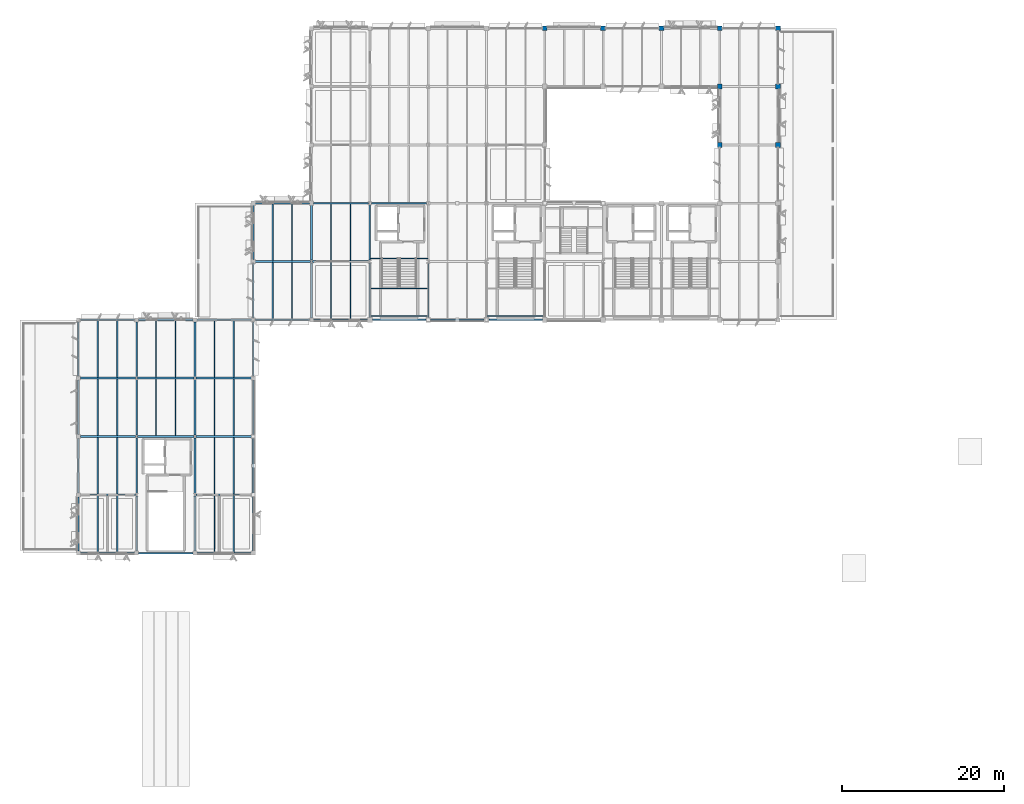
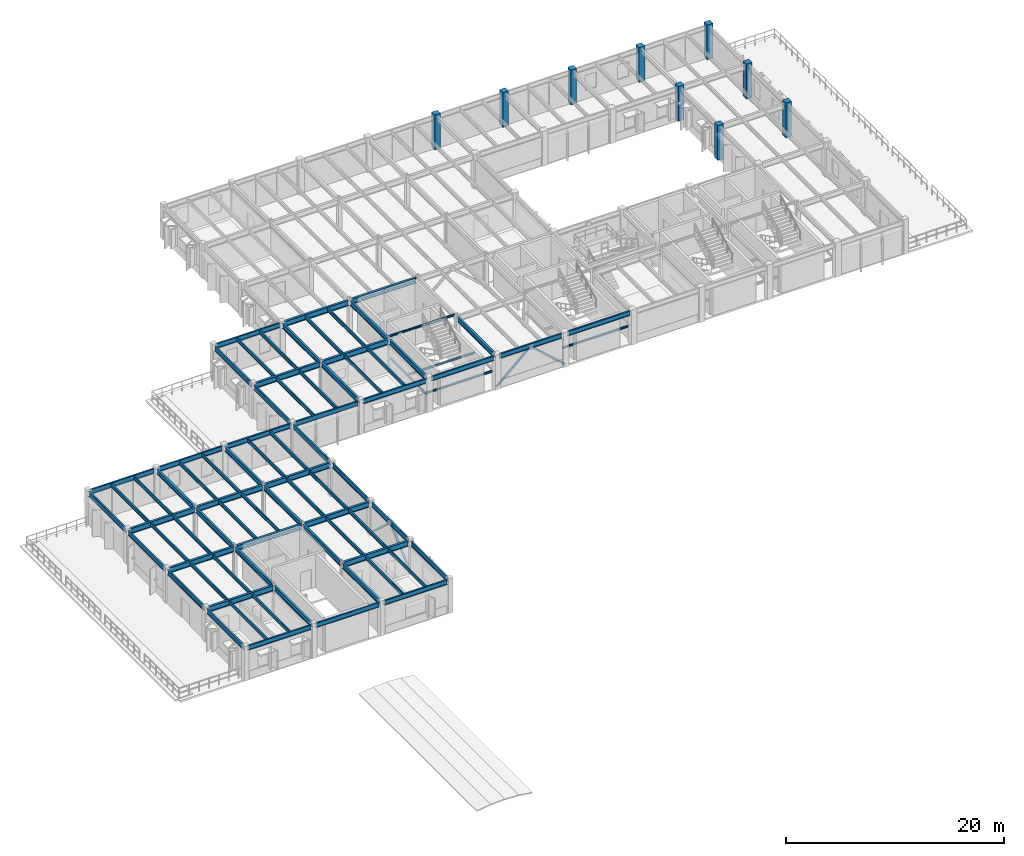
# One storey, part 5 of 35: 80 beams, 9 columns, 4 members.
"""IFC4 building model written with IfcOpenShell, lengths in metres."""

from ifc_helpers import new_model, si_unit, direction, frame, origin, origin_2d, place, context, subcontext, project, spatial, rectangle, hollow_rectangle, i_section, extrude, material, material_profile, profile_set, type_object, element, save


model = new_model("IFC4")

# Units and contexts
model_context = context("Model", 3, precision=1e-05, world=origin(), true_north=direction((0.0, 1.0)))
body_context = subcontext(model_context, "Body", "Model", "MODEL_VIEW")
ifc_project = project(units=[si_unit("LENGTHUNIT", "METRE"), si_unit("AREAUNIT", "SQUARE_METRE"), si_unit("VOLUMEUNIT", "CUBIC_METRE"), si_unit("PLANEANGLEUNIT", "RADIAN"), si_unit("MASSUNIT", "GRAM", prefix="KILO")], contexts=[model_context])

# Site, building, storey
site_placement = place(None, origin())
site = spatial("IfcSite", under=ifc_project, at=site_placement, CompositionType="ELEMENT")
building_placement = place(site_placement, origin())
building = spatial("IfcBuilding", under=site, at=building_placement, Name="Sillqori Civic Hall", CompositionType="ELEMENT")
storey_placement = place(building_placement, frame((0.0, 0.0, 18.0)))
storey = spatial("IfcBuildingStorey", under=building, at=storey_placement, Name="L05", CompositionType="ELEMENT", Elevation=18.0)

# Columns
ifc_material_1 = material(Name="Concrete C35/45 (H35)", Category="concrete")
ifc_material_profile_1 = material_profile(ifc_material_1, rectangle(XDim=0.60009765625, YDim=0.60009765625, at=origin_2d()), Name="RC 600x600")
ifc_profile_set_1 = profile_set([ifc_material_profile_1], Name="Concrete C35/45 (H35)")
column_type = type_object("IfcColumnType", Name="COL-RC600", PredefinedType="COLUMN", material=ifc_profile_set_1)
for number, where, z_axis, x_axis, name in (
    (1, (72.0, 115.199951171875, 0.0), (0.0, 0.0, 1.0), (1.0, 0.0, 0.0), "L05 column 10-16"),
    (2, (79.199951171875, 115.199951171875, 0.0), (0.0, 0.0, 1.0), (1.0, 0.0, 0.0), "L05 column 11-16"),
    (3, (86.39990234375, 115.199951171875, 0.0), (0.0, 0.0, 1.0), (1.0, 0.0, 0.0), "L05 column 12-16"),
    (4, (93.60009765625, 100.800048828125, 0.0), (0.0, 0.0, 1.0), (1.0, 0.0, 0.0), "L05 column 13-14"),
    (5, (93.60009765625, 108.0, 0.0), (0.0, 0.0, 1.0), (1.0, 0.0, 0.0), "L05 column 13-15"),
    (6, (93.60009765625, 115.199951171875, 0.0), (0.0, 0.0, 1.0), (1.0, 0.0, 0.0), "L05 column 13-16"),
    (7, (100.800048828125, 100.800048828125, 0.0), (0.0, 0.0, 1.0), (1.0, 0.0, 0.0), "L05 column 14-14"),
    (8, (100.800048828125, 108.0, 0.0), (0.0, 0.0, 1.0), (1.0, 0.0, 0.0), "L05 column 14-15"),
    (9, (100.800048828125, 115.199951171875, 0.0), (0.0, 0.0, 1.0), (1.0, 0.0, 0.0), "L05 column 14-16"),
):
    element("IfcColumn", number, at=place(storey_placement, frame(where, z_axis=z_axis, x_axis=x_axis)), inside=storey, type_object=column_type, Name=name, PredefinedType="COLUMN", context=body_context, shape_type="SweptSolid", body=[
        extrude(rectangle(XDim=0.60009765625, YDim=0.60009765625, at=origin_2d()), origin(), (0.0, 0.0, 1.0), 3.89990234375),
    ])

# Beams
ifc_material_2 = material(Name="Steel ASTM A992", Category="steel")
ifc_material_profile_2 = material_profile(ifc_material_2, i_section(OverallWidth=0.2099609375, OverallDepth=0.532958984375, WebThickness=0.01025390625, FlangeThickness=0.015625, FilletRadius=0.013916015625, at=origin_2d()), Name="W21X62")
ifc_profile_set_2 = profile_set([ifc_material_profile_2], Name="Steel ASTM A992")
beam_type_1 = type_object("IfcBeamType", Name="BM-W21X62", PredefinedType="BEAM", material=ifc_profile_set_2)
beam_1_placement = place(storey_placement, frame((21.60009765625, 50.64404296875, 3.43359375), z_axis=(0.0, 1.0, 0.0), x_axis=(-1.0, 0.0, 0.0)))
element("IfcBeam", 10, at=beam_1_placement, inside=storey, type_object=beam_type_1, Name="L05 girder Y 3-7", PredefinedType="BEAM", context=body_context, shape_type="SweptSolid", body=[
    extrude(i_section(OverallWidth=0.2099609375, OverallDepth=0.532958984375, WebThickness=0.01025390625, FlangeThickness=0.015625, FilletRadius=0.013916015625, at=origin_2d()), origin(), (0.0, 0.0, 1.0), 6.780517578125),
])
beam_2_placement = place(storey_placement, frame((21.60009765625, 57.775390625, 3.43359375), z_axis=(0.0, 1.0, 0.0), x_axis=(-1.0, 0.0, 0.0)))
element("IfcBeam", 11, at=beam_2_placement, inside=storey, type_object=beam_type_1, Name="L05 girder Y 3-8", PredefinedType="BEAM", context=body_context, shape_type="SweptSolid", body=[
    extrude(i_section(OverallWidth=0.2099609375, OverallDepth=0.532958984375, WebThickness=0.01025390625, FlangeThickness=0.015625, FilletRadius=0.013916015625, at=origin_2d()), origin(), (0.0, 0.0, 1.0), 6.84912109375),
])
beam_3_placement = place(storey_placement, frame((21.60009765625, 64.9755859375, 3.43359375), z_axis=(0.0, 1.0, 0.0), x_axis=(-1.0, 0.0, 0.0)))
element("IfcBeam", 12, at=beam_3_placement, inside=storey, type_object=beam_type_1, Name="L05 girder Y 3-9", PredefinedType="BEAM", context=body_context, shape_type="SweptSolid", body=[
    extrude(i_section(OverallWidth=0.2099609375, OverallDepth=0.532958984375, WebThickness=0.01025390625, FlangeThickness=0.015625, FilletRadius=0.013916015625, at=origin_2d()), origin(), (0.0, 0.0, 1.0), 6.848876953125),
])
for number, where, z_axis, x_axis, name in (
    (13, (21.60009765625, 72.175537109375, 3.43359375), (0.0, 1.0, 0.0), (-1.0, 0.0, 0.0), "L05 girder Y 3-10"),
    (14, (28.800048828125, 50.64404296875, 3.43359375), (0.0, 1.0, 0.0), (-1.0, 0.0, 0.0), "L05 girder Y 4-7"),
):
    element("IfcBeam", number, at=place(storey_placement, frame(where, z_axis=z_axis, x_axis=x_axis)), inside=storey, type_object=beam_type_1, Name=name, PredefinedType="BEAM", context=body_context, shape_type="SweptSolid", body=[
        extrude(i_section(OverallWidth=0.2099609375, OverallDepth=0.532958984375, WebThickness=0.01025390625, FlangeThickness=0.015625, FilletRadius=0.013916015625, at=origin_2d()), origin(), (0.0, 0.0, 1.0), 6.780517578125),
    ])
beam_4_placement = place(storey_placement, frame((28.800048828125, 57.775390625, 3.43359375), z_axis=(0.0, 1.0, 0.0), x_axis=(-1.0, 0.0, 0.0)))
element("IfcBeam", 15, at=beam_4_placement, inside=storey, type_object=beam_type_1, Name="L05 girder Y 4-8", PredefinedType="BEAM", context=body_context, shape_type="SweptSolid", body=[
    extrude(i_section(OverallWidth=0.2099609375, OverallDepth=0.532958984375, WebThickness=0.01025390625, FlangeThickness=0.015625, FilletRadius=0.013916015625, at=origin_2d()), origin(), (0.0, 0.0, 1.0), 6.84912109375),
])
beam_5_placement = place(storey_placement, frame((28.800048828125, 64.9755859375, 3.43359375), z_axis=(0.0, 1.0, 0.0), x_axis=(-1.0, 0.0, 0.0)))
element("IfcBeam", 16, at=beam_5_placement, inside=storey, type_object=beam_type_1, Name="L05 girder Y 4-9", PredefinedType="BEAM", context=body_context, shape_type="SweptSolid", body=[
    extrude(i_section(OverallWidth=0.2099609375, OverallDepth=0.532958984375, WebThickness=0.01025390625, FlangeThickness=0.015625, FilletRadius=0.013916015625, at=origin_2d()), origin(), (0.0, 0.0, 1.0), 6.848876953125),
])
for number, where, z_axis, x_axis, name in (
    (17, (28.800048828125, 72.175537109375, 3.43359375), (0.0, 1.0, 0.0), (-1.0, 0.0, 0.0), "L05 girder Y 4-10"),
    (18, (43.199951171875, 79.444091796875, 3.43359375), (0.0, 1.0, 0.0), (-1.0, 0.0, 0.0), "L05 girder Y 6-11"),
    (19, (43.199951171875, 86.575439453125, 3.43359375), (0.0, 1.0, 0.0), (-1.0, 0.0, 0.0), "L05 girder Y 6-12"),
):
    element("IfcBeam", number, at=place(storey_placement, frame(where, z_axis=z_axis, x_axis=x_axis)), inside=storey, type_object=beam_type_1, Name=name, PredefinedType="BEAM", context=body_context, shape_type="SweptSolid", body=[
        extrude(i_section(OverallWidth=0.2099609375, OverallDepth=0.532958984375, WebThickness=0.01025390625, FlangeThickness=0.015625, FilletRadius=0.013916015625, at=origin_2d()), origin(), (0.0, 0.0, 1.0), 6.780517578125),
    ])
beam_6_placement = place(storey_placement, frame((50.39990234375, 79.493896484375, 3.43359375), z_axis=(0.0, 1.0, 0.0), x_axis=(-1.0, 0.0, 0.0)))
element("IfcBeam", 20, at=beam_6_placement, inside=storey, type_object=beam_type_1, Name="L05 girder Y 7-11", PredefinedType="BEAM", context=body_context, shape_type="SweptSolid", body=[
    extrude(i_section(OverallWidth=0.2099609375, OverallDepth=0.532958984375, WebThickness=0.01025390625, FlangeThickness=0.015625, FilletRadius=0.013916015625, at=origin_2d()), origin(), (0.0, 0.0, 1.0), 6.72802734375),
])
beam_7_placement = place(storey_placement, frame((50.39990234375, 86.577880859375, 3.43359375), z_axis=(0.0, 1.0, 0.0), x_axis=(-1.0, 0.0, 0.0)))
element("IfcBeam", 21, at=beam_7_placement, inside=storey, type_object=beam_type_1, Name="L05 girder Y 7-12", PredefinedType="BEAM", context=body_context, shape_type="SweptSolid", body=[
    extrude(i_section(OverallWidth=0.2099609375, OverallDepth=0.532958984375, WebThickness=0.01025390625, FlangeThickness=0.015625, FilletRadius=0.013916015625, at=origin_2d()), origin(), (0.0, 0.0, 1.0), 6.84423828125),
])
beam_8_placement = place(storey_placement, frame((57.60009765625, 79.493896484375, 3.45361328125), z_axis=(0.0, 1.0, 0.0), x_axis=(-1.0, 0.0, 0.0)))
element("IfcBeam", 22, at=beam_8_placement, inside=storey, type_object=beam_type_1, Name="L05 girder Y 8-11", PredefinedType="BEAM", context=body_context, shape_type="SweptSolid", body=[
    extrude(i_section(OverallWidth=0.2099609375, OverallDepth=0.532958984375, WebThickness=0.01025390625, FlangeThickness=0.015625, FilletRadius=0.013916015625, at=origin_2d()), origin(), (0.0, 0.0, 1.0), 6.72802734375),
])
ifc_material_profile_3 = material_profile(ifc_material_2, i_section(OverallWidth=0.22802734375, OverallDepth=0.60205078125, WebThickness=0.010498046875, FlangeThickness=0.014892578125, FilletRadius=0.014892578125, at=origin_2d()), Name="W24X68")
ifc_profile_set_3 = profile_set([ifc_material_profile_3], Name="Steel ASTM A992")
beam_type_2 = type_object("IfcBeamType", Name="BM-W24X68", PredefinedType="BEAM", material=ifc_profile_set_3)
for number, where, z_axis, x_axis, name in (
    (23, (14.64404296875, 57.60009765625, 3.39892578125), (1.0, 0.0, 0.0), (0.0, 1.0, 0.0), "L05 girder X 2-8"),
    (24, (14.64404296875, 64.800048828125, 3.39892578125), (1.0, 0.0, 0.0), (0.0, 1.0, 0.0), "L05 girder X 2-9"),
    (25, (14.64404296875, 72.0, 3.39892578125), (1.0, 0.0, 0.0), (0.0, 1.0, 0.0), "L05 girder X 2-10"),
):
    element("IfcBeam", number, at=place(storey_placement, frame(where, z_axis=z_axis, x_axis=x_axis)), inside=storey, type_object=beam_type_2, Name=name, PredefinedType="BEAM", context=body_context, shape_type="SweptSolid", body=[
        extrude(i_section(OverallWidth=0.22802734375, OverallDepth=0.60205078125, WebThickness=0.010498046875, FlangeThickness=0.014892578125, FilletRadius=0.014892578125, at=origin_2d()), origin(), (0.0, 0.0, 1.0), 6.83349609375),
    ])
for number, where, z_axis, x_axis, name in (
    (26, (21.722412109375, 64.800048828125, 3.39892578125), (1.0, 0.0, 0.0), (0.0, 1.0, 0.0), "L05 girder X 3-9"),
    (27, (21.722412109375, 72.0, 3.39892578125), (1.0, 0.0, 0.0), (0.0, 1.0, 0.0), "L05 girder X 3-10"),
):
    element("IfcBeam", number, at=place(storey_placement, frame(where, z_axis=z_axis, x_axis=x_axis)), inside=storey, type_object=beam_type_2, Name=name, PredefinedType="BEAM", context=body_context, shape_type="SweptSolid", body=[
        extrude(i_section(OverallWidth=0.22802734375, OverallDepth=0.60205078125, WebThickness=0.010498046875, FlangeThickness=0.014892578125, FilletRadius=0.014892578125, at=origin_2d()), origin(), (0.0, 0.0, 1.0), 6.955078125),
    ])
for number, where, z_axis, x_axis, name in (
    (28, (28.922607421875, 57.60009765625, 3.39892578125), (1.0, 0.0, 0.0), (0.0, 1.0, 0.0), "L05 girder X 4-8"),
    (29, (28.922607421875, 64.800048828125, 3.39892578125), (1.0, 0.0, 0.0), (0.0, 1.0, 0.0), "L05 girder X 4-9"),
    (30, (28.922607421875, 72.0, 3.39892578125), (1.0, 0.0, 0.0), (0.0, 1.0, 0.0), "L05 girder X 4-10"),
    (31, (36.243896484375, 86.39990234375, 3.39892578125), (1.0, 0.0, 0.0), (0.0, 1.0, 0.0), "L05 girder X 5-12"),
):
    element("IfcBeam", number, at=place(storey_placement, frame(where, z_axis=z_axis, x_axis=x_axis)), inside=storey, type_object=beam_type_2, Name=name, PredefinedType="BEAM", context=body_context, shape_type="SweptSolid", body=[
        extrude(i_section(OverallWidth=0.22802734375, OverallDepth=0.60205078125, WebThickness=0.010498046875, FlangeThickness=0.014892578125, FilletRadius=0.014892578125, at=origin_2d()), origin(), (0.0, 0.0, 1.0), 6.83349609375),
    ])
beam_9_placement = place(storey_placement, frame((43.322509765625, 86.39990234375, 3.39892578125), z_axis=(1.0, 0.0, 0.0), x_axis=(0.0, 1.0, 0.0)))
element("IfcBeam", 32, at=beam_9_placement, inside=storey, type_object=beam_type_2, Name="L05 girder X 6-12", PredefinedType="BEAM", context=body_context, shape_type="SweptSolid", body=[
    extrude(i_section(OverallWidth=0.22802734375, OverallDepth=0.60205078125, WebThickness=0.010498046875, FlangeThickness=0.014892578125, FilletRadius=0.014892578125, at=origin_2d()), origin(), (0.0, 0.0, 1.0), 6.89697265625),
])
beam_10_placement = place(storey_placement, frame((43.444091796875, 93.60009765625, 3.39892578125), z_axis=(1.0, 0.0, 0.0), x_axis=(0.0, 1.0, 0.0)))
element("IfcBeam", 33, at=beam_10_placement, inside=storey, type_object=beam_type_2, Name="L05 girder X 6-13", PredefinedType="BEAM", context=body_context, shape_type="SweptSolid", body=[
    extrude(i_section(OverallWidth=0.22802734375, OverallDepth=0.60205078125, WebThickness=0.010498046875, FlangeThickness=0.014892578125, FilletRadius=0.014892578125, at=origin_2d()), origin(), (0.0, 0.0, 1.0), 6.775390625),
])
beam_11_placement = place(storey_placement, frame((50.58056640625, 93.60009765625, 3.4189453125), z_axis=(1.0, 0.0, 0.0), x_axis=(0.0, 1.0, 0.0)))
element("IfcBeam", 34, at=beam_11_placement, inside=storey, type_object=beam_type_2, Name="L05 girder X 7-13", PredefinedType="BEAM", context=body_context, shape_type="SweptSolid", body=[
    extrude(i_section(OverallWidth=0.22802734375, OverallDepth=0.60205078125, WebThickness=0.010498046875, FlangeThickness=0.014892578125, FilletRadius=0.014892578125, at=origin_2d()), origin(), (0.0, 0.0, 1.0), 6.8388671875),
])

# Members
ifc_material_3 = material(Name="Steel ASTM A500 Grade C", Category="steel")
ifc_material_profile_4 = material_profile(ifc_material_3, hollow_rectangle(XDim=0.199951171875, YDim=0.199951171875, WallThickness=0.010009765625, InnerFilletRadius=0.010009765625, OuterFilletRadius=0.02001953125, at=origin_2d()), Name="HSS200X200X10")
ifc_profile_set_4 = profile_set([ifc_material_profile_4], Name="Steel ASTM A500 Grade C")
member_type = type_object("IfcMemberType", Name="BR-HSS200", PredefinedType="BRACE", material=ifc_profile_set_4)
member_1_placement = place(storey_placement, frame((57.60009765625, 79.199951171875, 0.14990234375), z_axis=(0.742254478498, 0.0, 0.67011811582), x_axis=(0.0, 1.0, 0.0)))
element("IfcMember", 35, at=member_1_placement, inside=storey, type_object=member_type, Name="L05 seismic chevron brace L X11-8", PredefinedType="BRACE", context=body_context, shape_type="SweptSolid", body=[
    extrude(hollow_rectangle(XDim=0.199951171875, YDim=0.199951171875, WallThickness=0.010009765625, InnerFilletRadius=0.010009765625, OuterFilletRadius=0.02001953125, at=origin_2d()), origin(), (0.0, 0.0, 1.0), 4.849853515625),
])
member_2_placement = place(storey_placement, frame((64.800048828125, 79.199951171875, 0.14990234375), z_axis=(-0.742277082557, 0.0, 0.670093077648), x_axis=(0.0, -1.0, 0.0)))
element("IfcMember", 36, at=member_2_placement, inside=storey, type_object=member_type, Name="L05 seismic chevron brace R X11-8", PredefinedType="BRACE", context=body_context, shape_type="SweptSolid", body=[
    extrude(hollow_rectangle(XDim=0.199951171875, YDim=0.199951171875, WallThickness=0.010009765625, InnerFilletRadius=0.010009765625, OuterFilletRadius=0.02001953125, at=origin_2d()), origin(), (0.0, 0.0, 1.0), 4.85009765625),
])
member_3_placement = place(storey_placement, frame((36.0, 57.60009765625, 0.14990234375), z_axis=(0.0, 0.742254478498, 0.67011811582), x_axis=(-1.0, 0.0, 0.0)))
element("IfcMember", 37, at=member_3_placement, inside=storey, type_object=member_type, Name="L05 seismic chevron brace L Y5-8", PredefinedType="BRACE", context=body_context, shape_type="SweptSolid", body=[
    extrude(hollow_rectangle(XDim=0.199951171875, YDim=0.199951171875, WallThickness=0.010009765625, InnerFilletRadius=0.010009765625, OuterFilletRadius=0.02001953125, at=origin_2d()), origin(), (0.0, 0.0, 1.0), 4.849853515625),
])
member_4_placement = place(storey_placement, frame((36.0, 64.800048828125, 0.14990234375), z_axis=(0.0, -0.742277082557, 0.670093077648), x_axis=(1.0, 0.0, 0.0)))
element("IfcMember", 38, at=member_4_placement, inside=storey, type_object=member_type, Name="L05 seismic chevron brace R Y5-8", PredefinedType="BRACE", context=body_context, shape_type="SweptSolid", body=[
    extrude(hollow_rectangle(XDim=0.199951171875, YDim=0.199951171875, WallThickness=0.010009765625, InnerFilletRadius=0.010009765625, OuterFilletRadius=0.02001953125, at=origin_2d()), origin(), (0.0, 0.0, 1.0), 4.85009765625),
])

# Beams
ifc_material_profile_5 = material_profile(ifc_material_2, i_section(OverallWidth=0.139892578125, OverallDepth=0.39892578125, WebThickness=0.00634765625, FlangeThickness=0.0087890625, FilletRadius=0.011962890625, at=origin_2d()), Name="W16X26")
ifc_profile_set_5 = profile_set([ifc_material_profile_5], Name="Steel ASTM A992")
beam_type_3 = type_object("IfcBeamType", Name="JS-W16X26", PredefinedType="JOIST", material=ifc_profile_set_5)
for number, where, z_axis, x_axis, name in (
    (39, (16.800048828125, 50.4951171875, 3.50048828125), (0.0, 1.0, 0.0), (-1.0, 0.0, 0.0), "L05 composite joist 2-7.1"),
    (40, (19.199951171875, 50.4951171875, 3.50048828125), (0.0, 1.0, 0.0), (-1.0, 0.0, 0.0), "L05 composite joist 2-7.2"),
):
    element("IfcBeam", number, at=place(storey_placement, frame(where, z_axis=z_axis, x_axis=x_axis)), inside=storey, type_object=beam_type_3, Name=name, PredefinedType="JOIST", context=body_context, shape_type="SweptSolid", body=[
        extrude(i_section(OverallWidth=0.139892578125, OverallDepth=0.39892578125, WebThickness=0.00634765625, FlangeThickness=0.0087890625, FilletRadius=0.011962890625, at=origin_2d()), origin(), (0.0, 0.0, 1.0), 7.009765625),
    ])
for number, where, z_axis, x_axis, name in (
    (41, (16.800048828125, 57.695068359375, 3.50048828125), (0.0, 1.0, 0.0), (-1.0, 0.0, 0.0), "L05 composite joist 2-8.1"),
    (42, (19.199951171875, 57.695068359375, 3.50048828125), (0.0, 1.0, 0.0), (-1.0, 0.0, 0.0), "L05 composite joist 2-8.2"),
    (43, (16.800048828125, 64.89501953125, 3.50048828125), (0.0, 1.0, 0.0), (-1.0, 0.0, 0.0), "L05 composite joist 2-9.1"),
    (44, (19.199951171875, 64.89501953125, 3.50048828125), (0.0, 1.0, 0.0), (-1.0, 0.0, 0.0), "L05 composite joist 2-9.2"),
    (45, (16.800048828125, 72.094970703125, 3.50048828125), (0.0, 1.0, 0.0), (-1.0, 0.0, 0.0), "L05 composite joist 2-10.1"),
    (46, (19.199951171875, 72.094970703125, 3.50048828125), (0.0, 1.0, 0.0), (-1.0, 0.0, 0.0), "L05 composite joist 2-10.2"),
    (47, (24.0, 64.89501953125, 3.50048828125), (0.0, 1.0, 0.0), (-1.0, 0.0, 0.0), "L05 composite joist 3-9.1"),
    (48, (26.39990234375, 64.89501953125, 3.50048828125), (0.0, 1.0, 0.0), (-1.0, 0.0, 0.0), "L05 composite joist 3-9.2"),
    (49, (24.0, 72.094970703125, 3.50048828125), (0.0, 1.0, 0.0), (-1.0, 0.0, 0.0), "L05 composite joist 3-10.1"),
    (50, (26.39990234375, 72.094970703125, 3.50048828125), (0.0, 1.0, 0.0), (-1.0, 0.0, 0.0), "L05 composite joist 3-10.2"),
):
    element("IfcBeam", number, at=place(storey_placement, frame(where, z_axis=z_axis, x_axis=x_axis)), inside=storey, type_object=beam_type_3, Name=name, PredefinedType="JOIST", context=body_context, shape_type="SweptSolid", body=[
        extrude(i_section(OverallWidth=0.139892578125, OverallDepth=0.39892578125, WebThickness=0.00634765625, FlangeThickness=0.0087890625, FilletRadius=0.011962890625, at=origin_2d()), origin(), (0.0, 0.0, 1.0), 7.010009765625),
    ])
for number, where, z_axis, x_axis, name in (
    (51, (31.199951171875, 50.4951171875, 3.50048828125), (0.0, 1.0, 0.0), (-1.0, 0.0, 0.0), "L05 composite joist 4-7.1"),
    (52, (33.60009765625, 50.4951171875, 3.50048828125), (0.0, 1.0, 0.0), (-1.0, 0.0, 0.0), "L05 composite joist 4-7.2"),
):
    element("IfcBeam", number, at=place(storey_placement, frame(where, z_axis=z_axis, x_axis=x_axis)), inside=storey, type_object=beam_type_3, Name=name, PredefinedType="JOIST", context=body_context, shape_type="SweptSolid", body=[
        extrude(i_section(OverallWidth=0.139892578125, OverallDepth=0.39892578125, WebThickness=0.00634765625, FlangeThickness=0.0087890625, FilletRadius=0.011962890625, at=origin_2d()), origin(), (0.0, 0.0, 1.0), 7.009765625),
    ])
for number, where, z_axis, x_axis, name in (
    (53, (31.199951171875, 57.695068359375, 3.50048828125), (0.0, 1.0, 0.0), (-1.0, 0.0, 0.0), "L05 composite joist 4-8.1"),
    (54, (33.60009765625, 57.695068359375, 3.50048828125), (0.0, 1.0, 0.0), (-1.0, 0.0, 0.0), "L05 composite joist 4-8.2"),
    (55, (31.199951171875, 64.89501953125, 3.50048828125), (0.0, 1.0, 0.0), (-1.0, 0.0, 0.0), "L05 composite joist 4-9.1"),
    (56, (33.60009765625, 64.89501953125, 3.50048828125), (0.0, 1.0, 0.0), (-1.0, 0.0, 0.0), "L05 composite joist 4-9.2"),
    (57, (31.199951171875, 72.094970703125, 3.50048828125), (0.0, 1.0, 0.0), (-1.0, 0.0, 0.0), "L05 composite joist 4-10.1"),
    (58, (33.60009765625, 72.094970703125, 3.50048828125), (0.0, 1.0, 0.0), (-1.0, 0.0, 0.0), "L05 composite joist 4-10.2"),
    (59, (38.39990234375, 79.294921875, 3.50048828125), (0.0, 1.0, 0.0), (-1.0, 0.0, 0.0), "L05 composite joist 5-11.1"),
    (60, (40.800048828125, 79.294921875, 3.50048828125), (0.0, 1.0, 0.0), (-1.0, 0.0, 0.0), "L05 composite joist 5-11.2"),
):
    element("IfcBeam", number, at=place(storey_placement, frame(where, z_axis=z_axis, x_axis=x_axis)), inside=storey, type_object=beam_type_3, Name=name, PredefinedType="JOIST", context=body_context, shape_type="SweptSolid", body=[
        extrude(i_section(OverallWidth=0.139892578125, OverallDepth=0.39892578125, WebThickness=0.00634765625, FlangeThickness=0.0087890625, FilletRadius=0.011962890625, at=origin_2d()), origin(), (0.0, 0.0, 1.0), 7.010009765625),
    ])
for number, where, z_axis, x_axis, name in (
    (61, (38.39990234375, 86.4951171875, 3.50048828125), (0.0, 1.0, 0.0), (-1.0, 0.0, 0.0), "L05 composite joist 5-12.1"),
    (62, (40.800048828125, 86.4951171875, 3.50048828125), (0.0, 1.0, 0.0), (-1.0, 0.0, 0.0), "L05 composite joist 5-12.2"),
):
    element("IfcBeam", number, at=place(storey_placement, frame(where, z_axis=z_axis, x_axis=x_axis)), inside=storey, type_object=beam_type_3, Name=name, PredefinedType="JOIST", context=body_context, shape_type="SweptSolid", body=[
        extrude(i_section(OverallWidth=0.139892578125, OverallDepth=0.39892578125, WebThickness=0.00634765625, FlangeThickness=0.0087890625, FilletRadius=0.011962890625, at=origin_2d()), origin(), (0.0, 0.0, 1.0), 7.009765625),
    ])
for number, where, z_axis, x_axis, name in (
    (63, (45.60009765625, 79.294921875, 3.50048828125), (0.0, 1.0, 0.0), (-1.0, 0.0, 0.0), "L05 composite joist 6-11.1"),
    (64, (48.0, 79.294921875, 3.50048828125), (0.0, 1.0, 0.0), (-1.0, 0.0, 0.0), "L05 composite joist 6-11.2"),
):
    element("IfcBeam", number, at=place(storey_placement, frame(where, z_axis=z_axis, x_axis=x_axis)), inside=storey, type_object=beam_type_3, Name=name, PredefinedType="JOIST", context=body_context, shape_type="SweptSolid", body=[
        extrude(i_section(OverallWidth=0.139892578125, OverallDepth=0.39892578125, WebThickness=0.00634765625, FlangeThickness=0.0087890625, FilletRadius=0.011962890625, at=origin_2d()), origin(), (0.0, 0.0, 1.0), 7.010009765625),
    ])
for number, where, z_axis, x_axis, name in (
    (65, (45.60009765625, 86.4951171875, 3.50048828125), (0.0, 1.0, 0.0), (-1.0, 0.0, 0.0), "L05 composite joist 6-12.1"),
    (66, (48.0, 86.4951171875, 3.50048828125), (0.0, 1.0, 0.0), (-1.0, 0.0, 0.0), "L05 composite joist 6-12.2"),
):
    element("IfcBeam", number, at=place(storey_placement, frame(where, z_axis=z_axis, x_axis=x_axis)), inside=storey, type_object=beam_type_3, Name=name, PredefinedType="JOIST", context=body_context, shape_type="SweptSolid", body=[
        extrude(i_section(OverallWidth=0.139892578125, OverallDepth=0.39892578125, WebThickness=0.00634765625, FlangeThickness=0.0087890625, FilletRadius=0.011962890625, at=origin_2d()), origin(), (0.0, 0.0, 1.0), 7.009765625),
    ])
ifc_material_profile_6 = material_profile(ifc_material_2, i_section(OverallWidth=0.133056640625, OverallDepth=0.20703125, WebThickness=0.005859375, FlangeThickness=0.00830078125, FilletRadius=0.008056640625, at=origin_2d()), Name="W8X18")
ifc_profile_set_6 = profile_set([ifc_material_profile_6], Name="Steel ASTM A992")
beam_type_4 = type_object("IfcBeamType", Name="LN-W8X18", PredefinedType="LINTEL", material=ifc_profile_set_6)
beam_12_placement = place(storey_placement, frame((50.39990234375, 79.493896484375, 1.632568359375), z_axis=(0.0, 1.0, 0.0), x_axis=(-1.0, 0.0, 0.0)))
element("IfcBeam", 67, at=beam_12_placement, inside=storey, type_object=beam_type_4, Name="L05 grid 7 stair landing stringer 1", PredefinedType="LINTEL", context=body_context, shape_type="SweptSolid", body=[
    extrude(i_section(OverallWidth=0.133056640625, OverallDepth=0.20703125, WebThickness=0.005859375, FlangeThickness=0.00830078125, FilletRadius=0.008056640625, at=origin_2d()), origin(), (0.0, 0.0, 1.0), 6.72802734375),
])
for number, where, z_axis, x_axis, name in (
    (68, (50.449951171875, 79.695068359375, 1.632568359375), (1.0, 0.0, 0.0), (0.0, 1.0, 0.0), "L05 C5 stair half-landing steel ledger 1.1"),
    (69, (50.449951171875, 83.070068359375, 1.632568359375), (1.0, 0.0, 0.0), (0.0, 1.0, 0.0), "L05 C5 stair half-landing steel ledger 1.2"),
    (70, (50.449951171875, 86.77001953125, 3.62255859375), (1.0, 0.0, 0.0), (0.0, 1.0, 0.0), "L05 C5 stair upper arrival steel trimmer"),
):
    element("IfcBeam", number, at=place(storey_placement, frame(where, z_axis=z_axis, x_axis=x_axis)), inside=storey, type_object=beam_type_4, Name=name, PredefinedType="LINTEL", context=body_context, shape_type="SweptSolid", body=[
        extrude(i_section(OverallWidth=0.133056640625, OverallDepth=0.20703125, WebThickness=0.005859375, FlangeThickness=0.00830078125, FilletRadius=0.008056640625, at=origin_2d()), origin(), (0.0, 0.0, 1.0), 7.10009765625),
    ])
beam_13_placement = place(storey_placement, frame((64.85009765625, 79.695068359375, 1.632568359375), z_axis=(1.0, 0.0, 0.0), x_axis=(0.0, 1.0, 0.0)))
element("IfcBeam", 71, at=beam_13_placement, inside=storey, type_object=beam_type_4, Name="L05 C6 stair half-landing steel ledger 1.1", PredefinedType="LINTEL", context=body_context, shape_type="SweptSolid", body=[
    extrude(i_section(OverallWidth=0.133056640625, OverallDepth=0.20703125, WebThickness=0.005859375, FlangeThickness=0.00830078125, FilletRadius=0.008056640625, at=origin_2d()), origin(), (0.0, 0.0, 1.0), 7.099853515625),
])
ifc_material_profile_7 = material_profile(ifc_material_2, i_section(OverallWidth=0.166015625, OverallDepth=0.528076171875, WebThickness=0.009765625, FlangeThickness=0.013671875, FilletRadius=0.013916015625, at=origin_2d()), Name="W21X50")
ifc_profile_set_7 = profile_set([ifc_material_profile_7], Name="Steel ASTM A992")
beam_type_5 = type_object("IfcBeamType", Name="SP-W21X50", PredefinedType="SPANDREL", material=ifc_profile_set_7)
for number, where, z_axis, x_axis, name in (
    (72, (14.64404296875, 50.39990234375, 3.43603515625), (1.0, 0.0, 0.0), (0.0, 1.0, 0.0), "L05 girder X 2-7"),
    (73, (14.64404296875, 79.199951171875, 3.43603515625), (1.0, 0.0, 0.0), (0.0, 1.0, 0.0), "L05 girder X 2-11"),
    (74, (21.843994140625, 50.39990234375, 3.43603515625), (1.0, 0.0, 0.0), (0.0, 1.0, 0.0), "L05 girder X 3-7"),
    (75, (21.843994140625, 79.199951171875, 3.43603515625), (1.0, 0.0, 0.0), (0.0, 1.0, 0.0), "L05 girder X 3-11"),
):
    element("IfcBeam", number, at=place(storey_placement, frame(where, z_axis=z_axis, x_axis=x_axis)), inside=storey, type_object=beam_type_5, Name=name, PredefinedType="SPANDREL", context=body_context, shape_type="SweptSolid", body=[
        extrude(i_section(OverallWidth=0.166015625, OverallDepth=0.528076171875, WebThickness=0.009765625, FlangeThickness=0.013671875, FilletRadius=0.013916015625, at=origin_2d()), origin(), (0.0, 0.0, 1.0), 6.7119140625),
    ])
for number, where, z_axis, x_axis, name in (
    (76, (29.0439453125, 50.39990234375, 3.43603515625), (1.0, 0.0, 0.0), (0.0, 1.0, 0.0), "L05 girder X 4-7"),
    (77, (29.0439453125, 79.199951171875, 3.43603515625), (1.0, 0.0, 0.0), (0.0, 1.0, 0.0), "L05 girder X 4-11"),
    (78, (36.243896484375, 79.199951171875, 3.43603515625), (1.0, 0.0, 0.0), (0.0, 1.0, 0.0), "L05 girder X 5-11"),
    (79, (36.243896484375, 93.60009765625, 3.43603515625), (1.0, 0.0, 0.0), (0.0, 1.0, 0.0), "L05 girder X 5-13"),
):
    element("IfcBeam", number, at=place(storey_placement, frame(where, z_axis=z_axis, x_axis=x_axis)), inside=storey, type_object=beam_type_5, Name=name, PredefinedType="SPANDREL", context=body_context, shape_type="SweptSolid", body=[
        extrude(i_section(OverallWidth=0.166015625, OverallDepth=0.528076171875, WebThickness=0.009765625, FlangeThickness=0.013671875, FilletRadius=0.013916015625, at=origin_2d()), origin(), (0.0, 0.0, 1.0), 6.712158203125),
    ])
beam_14_placement = place(storey_placement, frame((43.444091796875, 79.199951171875, 3.43603515625), z_axis=(1.0, 0.0, 0.0), x_axis=(0.0, 1.0, 0.0)))
element("IfcBeam", 80, at=beam_14_placement, inside=storey, type_object=beam_type_5, Name="L05 girder X 6-11", PredefinedType="SPANDREL", context=body_context, shape_type="SweptSolid", body=[
    extrude(i_section(OverallWidth=0.166015625, OverallDepth=0.528076171875, WebThickness=0.009765625, FlangeThickness=0.013671875, FilletRadius=0.013916015625, at=origin_2d()), origin(), (0.0, 0.0, 1.0), 6.661865234375),
])
beam_15_placement = place(storey_placement, frame((50.694091796875, 79.199951171875, 3.4560546875), z_axis=(1.0, 0.0, 0.0), x_axis=(0.0, 1.0, 0.0)))
element("IfcBeam", 81, at=beam_15_placement, inside=storey, type_object=beam_type_5, Name="L05 girder X 7-11", PredefinedType="SPANDREL", context=body_context, shape_type="SweptSolid", body=[
    extrude(i_section(OverallWidth=0.166015625, OverallDepth=0.528076171875, WebThickness=0.009765625, FlangeThickness=0.013671875, FilletRadius=0.013916015625, at=origin_2d()), origin(), (0.0, 0.0, 1.0), 6.61181640625),
])
for number, where, z_axis, x_axis, name in (
    (82, (57.89404296875, 79.199951171875, 3.4560546875), (1.0, 0.0, 0.0), (0.0, 1.0, 0.0), "L05 girder X 8-11"),
    (83, (65.093994140625, 79.199951171875, 3.4560546875), (1.0, 0.0, 0.0), (0.0, 1.0, 0.0), "L05 girder X 9-11"),
):
    element("IfcBeam", number, at=place(storey_placement, frame(where, z_axis=z_axis, x_axis=x_axis)), inside=storey, type_object=beam_type_5, Name=name, PredefinedType="SPANDREL", context=body_context, shape_type="SweptSolid", body=[
        extrude(i_section(OverallWidth=0.166015625, OverallDepth=0.528076171875, WebThickness=0.009765625, FlangeThickness=0.013671875, FilletRadius=0.013916015625, at=origin_2d()), origin(), (0.0, 0.0, 1.0), 6.612060546875),
    ])
for number, where, z_axis, x_axis, name in (
    (84, (14.39990234375, 50.64404296875, 3.43603515625), (0.0, 1.0, 0.0), (-1.0, 0.0, 0.0), "L05 girder Y 2-7"),
    (85, (14.39990234375, 57.843994140625, 3.43603515625), (0.0, 1.0, 0.0), (-1.0, 0.0, 0.0), "L05 girder Y 2-8"),
):
    element("IfcBeam", number, at=place(storey_placement, frame(where, z_axis=z_axis, x_axis=x_axis)), inside=storey, type_object=beam_type_5, Name=name, PredefinedType="SPANDREL", context=body_context, shape_type="SweptSolid", body=[
        extrude(i_section(OverallWidth=0.166015625, OverallDepth=0.528076171875, WebThickness=0.009765625, FlangeThickness=0.013671875, FilletRadius=0.013916015625, at=origin_2d()), origin(), (0.0, 0.0, 1.0), 6.7119140625),
    ])
for number, where, z_axis, x_axis, name in (
    (86, (14.39990234375, 65.0439453125, 3.43603515625), (0.0, 1.0, 0.0), (-1.0, 0.0, 0.0), "L05 girder Y 2-9"),
    (87, (14.39990234375, 72.243896484375, 3.43603515625), (0.0, 1.0, 0.0), (-1.0, 0.0, 0.0), "L05 girder Y 2-10"),
):
    element("IfcBeam", number, at=place(storey_placement, frame(where, z_axis=z_axis, x_axis=x_axis)), inside=storey, type_object=beam_type_5, Name=name, PredefinedType="SPANDREL", context=body_context, shape_type="SweptSolid", body=[
        extrude(i_section(OverallWidth=0.166015625, OverallDepth=0.528076171875, WebThickness=0.009765625, FlangeThickness=0.013671875, FilletRadius=0.013916015625, at=origin_2d()), origin(), (0.0, 0.0, 1.0), 6.712158203125),
    ])
for number, where, z_axis, x_axis, name in (
    (88, (36.0, 50.64404296875, 3.43603515625), (0.0, 1.0, 0.0), (-1.0, 0.0, 0.0), "L05 girder Y 5-7"),
    (89, (36.0, 57.843994140625, 3.43603515625), (0.0, 1.0, 0.0), (-1.0, 0.0, 0.0), "L05 girder Y 5-8"),
):
    element("IfcBeam", number, at=place(storey_placement, frame(where, z_axis=z_axis, x_axis=x_axis)), inside=storey, type_object=beam_type_5, Name=name, PredefinedType="SPANDREL", context=body_context, shape_type="SweptSolid", body=[
        extrude(i_section(OverallWidth=0.166015625, OverallDepth=0.528076171875, WebThickness=0.009765625, FlangeThickness=0.013671875, FilletRadius=0.013916015625, at=origin_2d()), origin(), (0.0, 0.0, 1.0), 6.7119140625),
    ])
for number, where, z_axis, x_axis, name in (
    (90, (36.0, 65.0439453125, 3.43603515625), (0.0, 1.0, 0.0), (-1.0, 0.0, 0.0), "L05 girder Y 5-9"),
    (91, (36.0, 72.243896484375, 3.43603515625), (0.0, 1.0, 0.0), (-1.0, 0.0, 0.0), "L05 girder Y 5-10"),
):
    element("IfcBeam", number, at=place(storey_placement, frame(where, z_axis=z_axis, x_axis=x_axis)), inside=storey, type_object=beam_type_5, Name=name, PredefinedType="SPANDREL", context=body_context, shape_type="SweptSolid", body=[
        extrude(i_section(OverallWidth=0.166015625, OverallDepth=0.528076171875, WebThickness=0.009765625, FlangeThickness=0.013671875, FilletRadius=0.013916015625, at=origin_2d()), origin(), (0.0, 0.0, 1.0), 6.712158203125),
    ])
for number, where, z_axis, x_axis, name in (
    (92, (36.0, 79.444091796875, 3.43603515625), (0.0, 1.0, 0.0), (-1.0, 0.0, 0.0), "L05 girder Y 5-11"),
    (93, (36.0, 86.64404296875, 3.43603515625), (0.0, 1.0, 0.0), (-1.0, 0.0, 0.0), "L05 girder Y 5-12"),
):
    element("IfcBeam", number, at=place(storey_placement, frame(where, z_axis=z_axis, x_axis=x_axis)), inside=storey, type_object=beam_type_5, Name=name, PredefinedType="SPANDREL", context=body_context, shape_type="SweptSolid", body=[
        extrude(i_section(OverallWidth=0.166015625, OverallDepth=0.528076171875, WebThickness=0.009765625, FlangeThickness=0.013671875, FilletRadius=0.013916015625, at=origin_2d()), origin(), (0.0, 0.0, 1.0), 6.7119140625),
    ])

save(model, "model.ifc")
